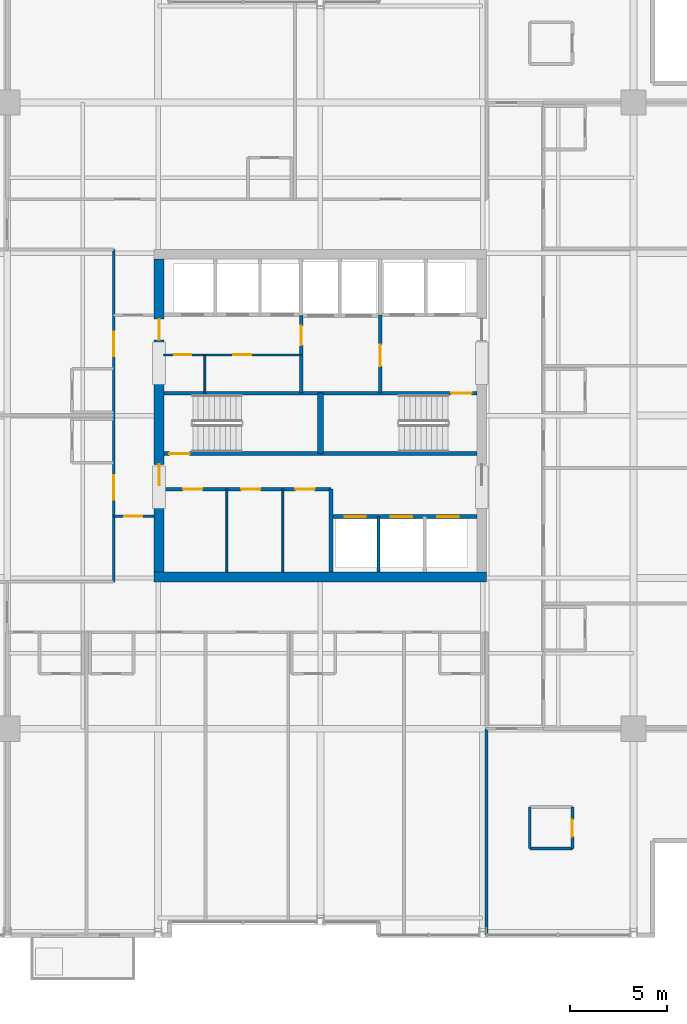
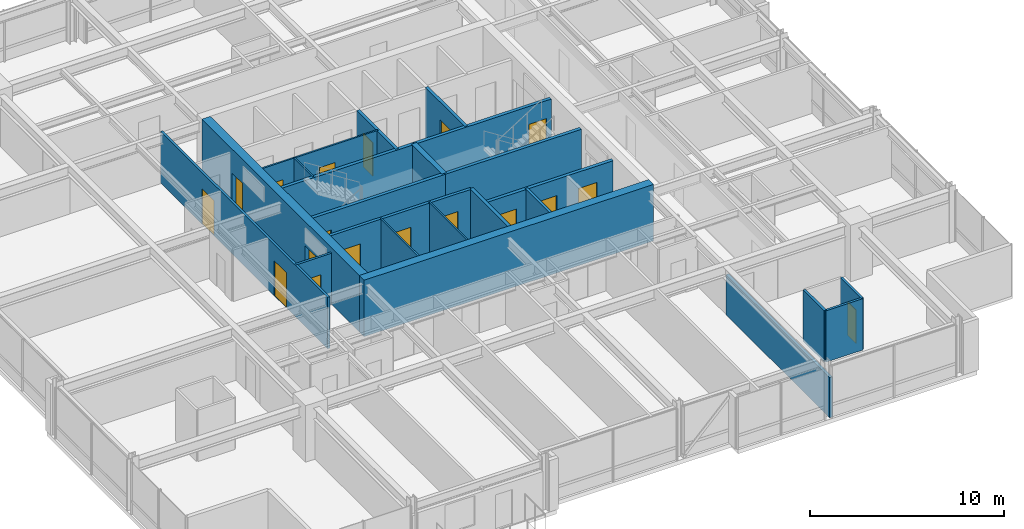
# One storey, part 27 of 33: 23 walls, 18 doors, 18 openings.
"""IFC4 building model written with IfcOpenShell, lengths in metres."""

from ifc_helpers import new_model, si_unit, direction, frame, frame_2d, origin, place, context, subcontext, project, spatial, rectangle, extrude, material, layer, layer_set, type_object, element, fill, save


model = new_model("IFC4")

# Units and contexts
model_context = context("Model", 3, precision=1e-05, world=origin(), true_north=direction((0.0, 1.0)))
body_context = subcontext(model_context, "Body", "Model", "MODEL_VIEW")
ifc_project = project(units=[si_unit("LENGTHUNIT", "METRE"), si_unit("AREAUNIT", "SQUARE_METRE"), si_unit("VOLUMEUNIT", "CUBIC_METRE"), si_unit("PLANEANGLEUNIT", "RADIAN"), si_unit("MASSUNIT", "GRAM", prefix="KILO")], contexts=[model_context])

# Site, building, storey
site_placement = place(None, origin())
site = spatial("IfcSite", under=ifc_project, at=site_placement, CompositionType="ELEMENT")
building_placement = place(site_placement, origin())
building = spatial("IfcBuilding", under=site, at=building_placement, Name="Drelvath Grand Hotel", CompositionType="ELEMENT")
storey_placement = place(building_placement, frame((0.0, 0.0, 196.550048828125)))
storey = spatial("IfcBuildingStorey", under=building, at=storey_placement, Name="L51", CompositionType="ELEMENT", Elevation=196.550048828125)

# Wall, openings, doors
ifc_material_1 = material(Name="Gypsum Partition Board")
ifc_layer_1 = layer(ifc_material_1, 0.10009765625)
ifc_layer_set_1 = layer_set([ifc_layer_1], Name="Gypsum Partition Board")
wall_type_1 = type_object("IfcWallType", Name="Core Closet Partition 100", PredefinedType="PARTITIONING", material=ifc_layer_set_1)
wall_1_placement = place(storey_placement, frame((-8.10009765625, 30.139892578125, 0.0), z_axis=(0.0, 0.0, 1.0), x_axis=(1.0, 0.0, 0.0)))
wall_1 = element("IfcWall", 1, at=wall_1_placement, inside=storey, type_object=wall_type_1, Name="L51 High-Rise Lobby Closet Wall", PredefinedType="PARTITIONING", context=body_context, shape_type="SweptSolid", body=[
    extrude(rectangle(XDim=7.10009765625, YDim=0.10009765625, at=frame_2d((3.550048828125, 0.0))), origin(), (0.0, 0.0, 1.0), 3.22998046875),
])
opening_1_placement = place(wall_1_placement, frame((0.550048828125, 0.0, 0.0)))
opening_1 = element("IfcOpeningElement", 2, at=opening_1_placement, cuts=wall_1, Name="Opening D-T3G5-014", PredefinedType="OPENING", context=body_context, shape_type="SweptSolid", body=[
    extrude(rectangle(XDim=0.8798828125, YDim=2.10009765625, at=frame_2d((0.43994140625, 1.050048828125))), frame((0.0, 0.06005859375, 0.0), z_axis=(0.0, -1.0, 0.0), x_axis=(1.0, 0.0, 0.0)), (0.0, 0.0, 1.0), 0.1201171875),
])
opening_2_placement = place(wall_1_placement, frame((3.60009765625, 0.0, 0.0)))
opening_2 = element("IfcOpeningElement", 3, at=opening_2_placement, cuts=wall_1, Name="Opening D-T3G5-015", PredefinedType="OPENING", context=body_context, shape_type="SweptSolid", body=[
    extrude(rectangle(XDim=0.919921875, YDim=2.10009765625, at=frame_2d((0.4599609375, 1.050048828125))), frame((0.0, 0.06005859375, 0.0), z_axis=(0.0, -1.0, 0.0), x_axis=(1.0, 0.0, 0.0)), (0.0, 0.0, 1.0), 0.1201171875),
])
ifc_material_2 = material(Name="Hardwood Walnut Timber", Category="wood")
door_type_1 = type_object("IfcDoorType", Name="En-Suite Bathroom Door 880x2100", OperationType="NOTDEFINED", PredefinedType="DOOR", material=ifc_material_2)
door_1_placement = place(opening_1_placement, origin())
door_1 = element("IfcDoor", 4, at=door_1_placement, inside=storey, type_object=door_type_1, Name="L51 Low-Voltage Closet Door", OperationType="SINGLE_SWING_LEFT", OverallHeight=2.10009765625, OverallWidth=0.8798828125, PredefinedType="DOOR", context=body_context, shape_type="SweptSolid", body=[
    extrude(rectangle(XDim=0.8798828125, YDim=2.10009765625, at=frame_2d((0.43994140625, 1.050048828125))), frame((0.0, 0.02490234375, 0.0), z_axis=(0.0, -1.0, 0.0), x_axis=(1.0, 0.0, 0.0)), (0.0, 0.0, 1.0), 0.050048828125),
])
fill(opening_1, door_1)
ifc_material_3 = material(Name="Painted Steel S275", Category="steel")
door_type_2 = type_object("IfcDoorType", Name="Staff Utility Door 920x2100", OperationType="NOTDEFINED", PredefinedType="DOOR", material=ifc_material_3)
door_2_placement = place(opening_2_placement, origin())
door_2 = element("IfcDoor", 5, at=door_2_placement, inside=storey, type_object=door_type_2, Name="L51 Telecom Distribution Door", OperationType="SINGLE_SWING_RIGHT", OverallHeight=2.10009765625, OverallWidth=0.919921875, PredefinedType="DOOR", context=body_context, shape_type="SweptSolid", body=[
    extrude(rectangle(XDim=0.919921875, YDim=2.10009765625, at=frame_2d((0.4599609375, 1.050048828125))), frame((0.0, 0.02490234375, 0.0), z_axis=(0.0, -1.0, 0.0), x_axis=(1.0, 0.0, 0.0)), (0.0, 0.0, 1.0), 0.050048828125),
])
fill(opening_2, door_2)

# Walls
wall_2_placement = place(storey_placement, frame((-5.97998046875, 28.159912109375, 0.0), z_axis=(0.0, 0.0, 1.0), x_axis=(0.0, 1.0, 0.0)))
element("IfcWall", 6, at=wall_2_placement, inside=storey, type_object=wall_type_1, Name="L51 Core Closet Split 2", PredefinedType="PARTITIONING", context=body_context, shape_type="SweptSolid", body=[
    extrude(rectangle(XDim=1.97998046875, YDim=0.10009765625, at=frame_2d((0.989990234375, 0.0))), origin(), (0.0, 0.0, 1.0), 3.22998046875),
])
for number, where, z_axis, x_axis, name in (
    (7, (-4.840087890625, 18.89990234375, 0.0), (0.0, 0.0, 1.0), (0.0, 1.0, 0.0), "L51 Reclaimed Split 1"),
    (8, (-1.93994140625, 18.89990234375, 0.0), (0.0, 0.0, 1.0), (0.0, 1.0, 0.0), "L51 Reclaimed Split 2"),
):
    element("IfcWall", number, at=place(storey_placement, frame(where, z_axis=z_axis, x_axis=x_axis)), inside=storey, type_object=wall_type_1, Name=name, PredefinedType="PARTITIONING", context=body_context, shape_type="SweptSolid", body=[
        extrude(rectangle(XDim=4.300048828125, YDim=0.10009765625, at=frame_2d((2.14990234375, 0.0))), origin(), (0.0, 0.0, 1.0), 3.22998046875),
    ])

# Wall, openings, doors
ifc_material_4 = material(Name="Concrete C40/50", Category="concrete")
ifc_layer_2 = layer(ifc_material_4, 0.199951171875)
ifc_layer_set_2 = layer_set([ifc_layer_2], Name="Concrete C40/50")
wall_type_2 = type_object("IfcWallType", Name="Core Hoistway Fire Wall 200", PredefinedType="SOLIDWALL", material=ifc_layer_set_2)
wall_3_placement = place(storey_placement, frame((8.10009765625, 21.780029296875, 0.0), z_axis=(0.0, 0.0, 1.0), x_axis=(-1.0, 0.0, 0.0)))
wall_3 = element("IfcWall", 9, at=wall_3_placement, inside=storey, type_object=wall_type_2, Name="L51 Bank 2 Hoistway Wall", PredefinedType="SOLIDWALL", context=body_context, shape_type="SweptSolid", body=[
    extrude(rectangle(XDim=7.550048828125, YDim=0.199951171875, at=frame_2d((3.77490234375, 0.0))), origin(), (0.0, 0.0, 1.0), 3.22998046875),
])
opening_3_placement = place(wall_3_placement, frame((5.75, 0.0, 0.0)))
opening_3 = element("IfcOpeningElement", 10, at=opening_3_placement, cuts=wall_3, Name="Opening LD-PE-4", PredefinedType="OPENING", context=body_context, shape_type="SweptSolid", body=[
    extrude(rectangle(XDim=1.10009765625, YDim=2.199951171875, at=frame_2d((0.550048828125, 1.10009765625))), frame((0.0, 0.10986328125, 0.0), z_axis=(0.0, -1.0, 0.0), x_axis=(1.0, 0.0, 0.0)), (0.0, 0.0, 1.0), 0.219970703125),
])
opening_4_placement = place(wall_3_placement, frame((3.35009765625, 0.0, 0.0)))
opening_4 = element("IfcOpeningElement", 11, at=opening_4_placement, cuts=wall_3, Name="Opening LD-PE-5", PredefinedType="OPENING", context=body_context, shape_type="SweptSolid", body=[
    extrude(rectangle(XDim=1.10009765625, YDim=2.199951171875, at=frame_2d((0.550048828125, 1.10009765625))), frame((0.0, 0.10986328125, 0.0), z_axis=(0.0, -1.0, 0.0), x_axis=(1.0, 0.0, 0.0)), (0.0, 0.0, 1.0), 0.219970703125),
])
opening_5_placement = place(wall_3_placement, frame((0.949951171875, 0.0, 0.0)))
opening_5 = element("IfcOpeningElement", 12, at=opening_5_placement, cuts=wall_3, Name="Opening LD-PE-6", PredefinedType="OPENING", context=body_context, shape_type="SweptSolid", body=[
    extrude(rectangle(XDim=1.10009765625, YDim=2.199951171875, at=frame_2d((0.550048828125, 1.10009765625))), frame((0.0, 0.10986328125, 0.0), z_axis=(0.0, -1.0, 0.0), x_axis=(1.0, 0.0, 0.0)), (0.0, 0.0, 1.0), 0.219970703125),
])
ifc_material_5 = material(Name="Stainless Steel S355", Category="steel")
door_type_3 = type_object("IfcDoorType", Name="Passenger Lift Sliding Landing Door 1100x2200", OperationType="NOTDEFINED", PredefinedType="DOOR", material=ifc_material_5)
door_3_placement = place(opening_3_placement, origin())
door_3 = element("IfcDoor", 13, at=door_3_placement, inside=storey, type_object=door_type_3, Name="L51 Lift PE-4 Landing Door", OperationType="SLIDING_TO_LEFT", OverallHeight=2.199951171875, OverallWidth=1.10009765625, PredefinedType="DOOR", context=body_context, shape_type="SweptSolid", body=[
    extrude(rectangle(XDim=1.10009765625, YDim=2.199951171875, at=frame_2d((0.550048828125, 1.10009765625))), frame((0.0, 0.02490234375, 0.0), z_axis=(0.0, -1.0, 0.0), x_axis=(1.0, 0.0, 0.0)), (0.0, 0.0, 1.0), 0.050048828125),
])
fill(opening_3, door_3)
door_4_placement = place(opening_4_placement, origin())
door_4 = element("IfcDoor", 14, at=door_4_placement, inside=storey, type_object=door_type_3, Name="L51 Lift PE-5 Landing Door", OperationType="SLIDING_TO_LEFT", OverallHeight=2.199951171875, OverallWidth=1.10009765625, PredefinedType="DOOR", context=body_context, shape_type="SweptSolid", body=[
    extrude(rectangle(XDim=1.10009765625, YDim=2.199951171875, at=frame_2d((0.550048828125, 1.10009765625))), frame((0.0, 0.02490234375, 0.0), z_axis=(0.0, -1.0, 0.0), x_axis=(1.0, 0.0, 0.0)), (0.0, 0.0, 1.0), 0.050048828125),
])
fill(opening_4, door_4)
door_5_placement = place(opening_5_placement, origin())
door_5 = element("IfcDoor", 15, at=door_5_placement, inside=storey, type_object=door_type_3, Name="L51 Lift PE-6 Landing Door", OperationType="SLIDING_TO_LEFT", OverallHeight=2.199951171875, OverallWidth=1.10009765625, PredefinedType="DOOR", context=body_context, shape_type="SweptSolid", body=[
    extrude(rectangle(XDim=1.10009765625, YDim=2.199951171875, at=frame_2d((0.550048828125, 1.10009765625))), frame((0.0, 0.02490234375, 0.0), z_axis=(0.0, -1.0, 0.0), x_axis=(1.0, 0.0, 0.0)), (0.0, 0.0, 1.0), 0.050048828125),
])
fill(opening_5, door_5)

# Wall
wall_4_placement = place(storey_placement, frame((0.550048828125, 18.89990234375, 0.0), z_axis=(0.0, 0.0, 1.0), x_axis=(0.0, 1.0, 0.0)))
element("IfcWall", 16, at=wall_4_placement, inside=storey, type_object=wall_type_2, Name="L51 Bank 2 West Wall", PredefinedType="SOLIDWALL", context=body_context, shape_type="SweptSolid", body=[
    extrude(rectangle(XDim=4.300048828125, YDim=0.199951171875, at=frame_2d((2.14990234375, 0.0))), origin(), (0.0, 0.0, 1.0), 3.22998046875),
])

# Wall, opening, door
ifc_layer_3 = layer(ifc_material_4, 0.199951171875)
ifc_layer_set_3 = layer_set([ifc_layer_3], Name="Concrete C40/50")
wall_type_3 = type_object("IfcWallType", Name="Core Shaft Fire Wall 200", PredefinedType="SOLIDWALL", material=ifc_layer_set_3)
wall_5_placement = place(storey_placement, frame((-8.10009765625, 25.0400390625, 0.0), z_axis=(0.0, 0.0, 1.0), x_axis=(1.0, 0.0, 0.0)))
wall_5 = element("IfcWall", 17, at=wall_5_placement, inside=storey, type_object=wall_type_3, Name="L51 Stair ST-1 South Wall", PredefinedType="SOLIDWALL", context=body_context, shape_type="SweptSolid", body=[
    extrude(rectangle(XDim=8.10009765625, YDim=0.199951171875, at=frame_2d((4.050048828125, 0.0))), origin(), (0.0, 0.0, 1.0), 3.22998046875),
])
opening_6_placement = place(wall_5_placement, frame((0.280029296875, 0.0, 0.0)))
opening_6 = element("IfcOpeningElement", 18, at=opening_6_placement, cuts=wall_5, Name="Opening D-T3G5-001", PredefinedType="OPENING", context=body_context, shape_type="SweptSolid", body=[
    extrude(rectangle(XDim=1.050048828125, YDim=2.10009765625, at=frame_2d((0.52490234375, 1.050048828125))), frame((0.0, 0.10986328125, 0.0), z_axis=(0.0, -1.0, 0.0), x_axis=(1.0, 0.0, 0.0)), (0.0, 0.0, 1.0), 0.219970703125),
])
door_type_4 = type_object("IfcDoorType", Name="Tower Stairwell Fire Door 1050x2100", OperationType="NOTDEFINED", PredefinedType="DOOR", material=ifc_material_3)
door_6_placement = place(opening_6_placement, origin())
door_6 = element("IfcDoor", 19, at=door_6_placement, inside=storey, type_object=door_type_4, Name="L51 Exit Stair ST-1 Door", OperationType="SINGLE_SWING_LEFT", OverallHeight=2.10009765625, OverallWidth=1.050048828125, PredefinedType="DOOR", context=body_context, shape_type="SweptSolid", body=[
    extrude(rectangle(XDim=1.050048828125, YDim=2.10009765625, at=frame_2d((0.52490234375, 1.050048828125))), frame((0.0, 0.02490234375, 0.0), z_axis=(0.0, -1.0, 0.0), x_axis=(1.0, 0.0, 0.0)), (0.0, 0.0, 1.0), 0.050048828125),
])
fill(opening_6, door_6)

# Walls
for number, where, z_axis, x_axis, name in (
    (20, (-8.10009765625, 28.159912109375, 0.0), (0.0, 0.0, 1.0), (1.0, 0.0, 0.0), "L51 Stair ST-1 North Wall"),
    (21, (0.0, 25.0400390625, 0.0), (0.0, 0.0, 1.0), (1.0, 0.0, 0.0), "L51 Stair ST-2 South Wall"),
):
    element("IfcWall", number, at=place(storey_placement, frame(where, z_axis=z_axis, x_axis=x_axis)), inside=storey, type_object=wall_type_3, Name=name, PredefinedType="SOLIDWALL", context=body_context, shape_type="SweptSolid", body=[
        extrude(rectangle(XDim=8.10009765625, YDim=0.199951171875, at=frame_2d((4.050048828125, 0.0))), origin(), (0.0, 0.0, 1.0), 3.22998046875),
    ])

# Wall, opening, door
wall_6_placement = place(storey_placement, frame((8.10009765625, 28.159912109375, 0.0), z_axis=(0.0, 0.0, 1.0), x_axis=(-1.0, 0.0, 0.0)))
wall_6 = element("IfcWall", 22, at=wall_6_placement, inside=storey, type_object=wall_type_3, Name="L51 Stair ST-2 North Wall", PredefinedType="SOLIDWALL", context=body_context, shape_type="SweptSolid", body=[
    extrude(rectangle(XDim=8.10009765625, YDim=0.199951171875, at=frame_2d((4.050048828125, 0.0))), origin(), (0.0, 0.0, 1.0), 3.22998046875),
])
opening_7_placement = place(wall_6_placement, frame((0.280029296875, 0.0, 0.0)))
opening_7 = element("IfcOpeningElement", 23, at=opening_7_placement, cuts=wall_6, Name="Opening D-T3G5-002", PredefinedType="OPENING", context=body_context, shape_type="SweptSolid", body=[
    extrude(rectangle(XDim=1.050048828125, YDim=2.10009765625, at=frame_2d((0.52490234375, 1.050048828125))), frame((0.0, 0.10986328125, 0.0), z_axis=(0.0, -1.0, 0.0), x_axis=(1.0, 0.0, 0.0)), (0.0, 0.0, 1.0), 0.219970703125),
])
door_7_placement = place(opening_7_placement, origin())
door_7 = element("IfcDoor", 24, at=door_7_placement, inside=storey, type_object=door_type_4, Name="L51 Exit Stair ST-2 Door", OperationType="SINGLE_SWING_LEFT", OverallHeight=2.10009765625, OverallWidth=1.050048828125, PredefinedType="DOOR", context=body_context, shape_type="SweptSolid", body=[
    extrude(rectangle(XDim=1.050048828125, YDim=2.10009765625, at=frame_2d((0.52490234375, 1.050048828125))), frame((0.0, 0.02490234375, 0.0), z_axis=(0.0, -1.0, 0.0), x_axis=(1.0, 0.0, 0.0)), (0.0, 0.0, 1.0), 0.050048828125),
])
fill(opening_7, door_7)

# Walls
ifc_layer_4 = layer(ifc_material_4, 0.300048828125)
ifc_layer_set_4 = layer_set([ifc_layer_4], Name="Concrete C40/50")
wall_type_4 = type_object("IfcWallType", Name="Core Shaft Fire Wall 300", PredefinedType="SOLIDWALL", material=ifc_layer_set_4)
wall_7_placement = place(storey_placement, frame((0.0, 25.0400390625, 0.0), z_axis=(0.0, 0.0, 1.0), x_axis=(0.0, 1.0, 0.0)))
element("IfcWall", 25, at=wall_7_placement, inside=storey, type_object=wall_type_4, Name="L51 Core Stair Divider Wall", PredefinedType="SOLIDWALL", context=body_context, shape_type="SweptSolid", body=[
    extrude(rectangle(XDim=3.119873046875, YDim=0.300048828125, at=frame_2d((1.56005859375, 0.0))), origin(), (0.0, 0.0, 1.0), 3.22998046875),
])
ifc_material_6 = material(Name="Gypsum Fireboard Partition")
ifc_layer_5 = layer(ifc_material_6, 0.1650390625)
ifc_layer_set_5 = layer_set([ifc_layer_5], Name="Gypsum Fireboard Partition")
wall_type_5 = type_object("IfcWallType", Name="Core Shaft Partition 165", PredefinedType="PARTITIONING", material=ifc_layer_set_5)
wall_8_placement = place(storey_placement, frame((3.0, 18.89990234375, 0.0), z_axis=(0.0, 0.0, 1.0), x_axis=(0.0, 1.0, 0.0)))
element("IfcWall", 26, at=wall_8_placement, inside=storey, type_object=wall_type_5, Name="L51 Lift PE-4/5 Divider", PredefinedType="PARTITIONING", context=body_context, shape_type="SweptSolid", body=[
    extrude(rectangle(XDim=2.880126953125, YDim=0.1650390625, at=frame_2d((1.43994140625, 0.0))), origin(), (0.0, 0.0, 1.0), 3.22998046875),
])

# Wall, opening, door
ifc_layer_6 = layer(ifc_material_6, 0.135009765625)
ifc_layer_set_6 = layer_set([ifc_layer_6], Name="Gypsum Fireboard Partition")
wall_type_6 = type_object("IfcWallType", Name="Corridor Fire Barrier Wall 135", PredefinedType="PARTITIONING", material=ifc_layer_set_6)
wall_9_placement = place(storey_placement, frame((-10.699951171875, 21.800048828125, 0.0), z_axis=(0.0, 0.0, 1.0), x_axis=(1.0, 0.0, 0.0)))
wall_9 = element("IfcWall", 27, at=wall_9_placement, inside=storey, type_object=wall_type_6, Name="L51 West Foyer South Wall", PredefinedType="PARTITIONING", context=body_context, shape_type="SweptSolid", body=[
    extrude(rectangle(XDim=2.099853515625, YDim=0.135009765625, at=frame_2d((1.0498046875, 0.0))), origin(), (0.0, 0.0, 1.0), 3.22998046875),
])
opening_8_placement = place(wall_9_placement, frame((0.550048828125, 0.0, 0.0)))
opening_8 = element("IfcOpeningElement", 28, at=opening_8_placement, cuts=wall_9, Name="Opening D-T3G5-024", PredefinedType="OPENING", context=body_context, shape_type="SweptSolid", body=[
    extrude(rectangle(XDim=0.919921875, YDim=2.10009765625, at=frame_2d((0.4599609375, 1.050048828125))), frame((0.0, 0.077392578125, 0.0), z_axis=(0.0, -1.0, 0.0), x_axis=(1.0, 0.0, 0.0)), (0.0, 0.0, 1.0), 0.155029296875),
])
door_8_placement = place(opening_8_placement, origin())
door_8 = element("IfcDoor", 29, at=door_8_placement, inside=storey, type_object=door_type_2, Name="L51 West Linen Closet Door", OperationType="SINGLE_SWING_RIGHT", OverallHeight=2.10009765625, OverallWidth=0.919921875, PredefinedType="DOOR", context=body_context, shape_type="SweptSolid", body=[
    extrude(rectangle(XDim=0.919921875, YDim=2.10009765625, at=frame_2d((0.4599609375, 1.050048828125))), frame((0.0, 0.02490234375, 0.0), z_axis=(0.0, -1.0, 0.0), x_axis=(1.0, 0.0, 0.0)), (0.0, 0.0, 1.0), 0.050048828125),
])
fill(opening_8, door_8)

# Wall, openings, doors
wall_10_placement = place(storey_placement, frame((-10.699951171875, 18.39990234375, 0.0), z_axis=(0.0, 0.0, 1.0), x_axis=(0.0, 1.0, 0.0)))
wall_10 = element("IfcWall", 30, at=wall_10_placement, inside=storey, type_object=wall_type_6, Name="L51 West Spine Wall", PredefinedType="PARTITIONING", context=body_context, shape_type="SweptSolid", body=[
    extrude(rectangle(XDim=17.2001953125, YDim=0.135009765625, at=frame_2d((8.60009765625, 0.0))), origin(), (0.0, 0.0, 1.0), 3.22998046875),
])
opening_9_placement = place(wall_10_placement, frame((4.2548828125, 0.0, 0.0)))
opening_9 = element("IfcOpeningElement", 31, at=opening_9_placement, cuts=wall_10, Name="Opening D-T3G5-055", PredefinedType="OPENING", context=body_context, shape_type="SweptSolid", body=[
    extrude(rectangle(XDim=1.260009765625, YDim=2.199951171875, at=frame_2d((0.6298828125, 1.10009765625))), frame((0.0, 0.077392578125, 0.0), z_axis=(0.0, -1.0, 0.0), x_axis=(1.0, 0.0, 0.0)), (0.0, 0.0, 1.0), 0.155029296875),
])
opening_10_placement = place(wall_10_placement, frame((11.68505859375, 0.0, 0.0)))
opening_10 = element("IfcOpeningElement", 32, at=opening_10_placement, cuts=wall_10, Name="Opening D-T3G5-057", PredefinedType="OPENING", context=body_context, shape_type="SweptSolid", body=[
    extrude(rectangle(XDim=1.260009765625, YDim=2.199951171875, at=frame_2d((0.6298828125, 1.10009765625))), frame((0.0, 0.077392578125, 0.0), z_axis=(0.0, -1.0, 0.0), x_axis=(1.0, 0.0, 0.0)), (0.0, 0.0, 1.0), 0.155029296875),
])
door_type_5 = type_object("IfcDoorType", Name="Suite Entrance Fire Door 1260x2200", OperationType="NOTDEFINED", PredefinedType="DOOR", material=ifc_material_2)
door_9_placement = place(opening_9_placement, origin())
door_9 = element("IfcDoor", 33, at=door_9_placement, inside=storey, type_object=door_type_5, Name="L51 Executive Suite Entry Door", OperationType="SINGLE_SWING_LEFT", OverallHeight=2.199951171875, OverallWidth=1.260009765625, PredefinedType="DOOR", context=body_context, shape_type="SweptSolid", body=[
    extrude(rectangle(XDim=1.260009765625, YDim=2.199951171875, at=frame_2d((0.6298828125, 1.10009765625))), frame((0.0, 0.02490234375, 0.0), z_axis=(0.0, -1.0, 0.0), x_axis=(1.0, 0.0, 0.0)), (0.0, 0.0, 1.0), 0.050048828125),
])
fill(opening_9, door_9)
door_10_placement = place(opening_10_placement, origin())
door_10 = element("IfcDoor", 34, at=door_10_placement, inside=storey, type_object=door_type_5, Name="L51 Executive Suite Entry Door", OperationType="SINGLE_SWING_LEFT", OverallHeight=2.199951171875, OverallWidth=1.260009765625, PredefinedType="DOOR", context=body_context, shape_type="SweptSolid", body=[
    extrude(rectangle(XDim=1.260009765625, YDim=2.199951171875, at=frame_2d((0.6298828125, 1.10009765625))), frame((0.0, 0.02490234375, 0.0), z_axis=(0.0, -1.0, 0.0), x_axis=(1.0, 0.0, 0.0)), (0.0, 0.0, 1.0), 0.050048828125),
])
fill(opening_10, door_10)

# Walls
ifc_material_7 = material(Name="Moisture-Resistant Gypsum Board")
ifc_layer_7 = layer(ifc_material_7, 0.139892578125)
ifc_layer_set_7 = layer_set([ifc_layer_7], Name="Moisture-Resistant Gypsum Board")
wall_type_7 = type_object("IfcWallType", Name="En-Suite Plumbing Wall 140", PredefinedType="PLUMBINGWALL", material=ifc_layer_set_7)
wall_11_placement = place(storey_placement, frame((10.840087890625, 4.60009765625, 0.0), z_axis=(0.0, 0.0, 1.0), x_axis=(1.0, 0.0, 0.0)))
element("IfcWall", 35, at=wall_11_placement, inside=storey, type_object=wall_type_7, Name="L51 Corner En-Suite South", PredefinedType="PLUMBINGWALL", context=body_context, shape_type="SweptSolid", body=[
    extrude(rectangle(XDim=2.199951171875, YDim=0.139892578125, at=frame_2d((1.10009765625, 0.0))), origin(), (0.0, 0.0, 1.0), 3.22998046875),
])
wall_12_placement = place(storey_placement, frame((10.840087890625, 4.60009765625, 0.0), z_axis=(0.0, 0.0, 1.0), x_axis=(0.0, 1.0, 0.0)))
element("IfcWall", 36, at=wall_12_placement, inside=storey, type_object=wall_type_7, Name="L51 Corner En-Suite West", PredefinedType="PLUMBINGWALL", context=body_context, shape_type="SweptSolid", body=[
    extrude(rectangle(XDim=2.14990234375, YDim=0.139892578125, at=frame_2d((1.074951171875, 0.0))), origin(), (0.0, 0.0, 1.0), 3.22998046875),
])

# Wall, opening, door
wall_13_placement = place(storey_placement, frame((13.0400390625, 4.60009765625, 0.0), z_axis=(0.0, 0.0, 1.0), x_axis=(0.0, 1.0, 0.0)))
wall_13 = element("IfcWall", 37, at=wall_13_placement, inside=storey, type_object=wall_type_7, Name="L51 Corner En-Suite East", PredefinedType="PLUMBINGWALL", context=body_context, shape_type="SweptSolid", body=[
    extrude(rectangle(XDim=2.14990234375, YDim=0.139892578125, at=frame_2d((1.074951171875, 0.0))), origin(), (0.0, 0.0, 1.0), 3.22998046875),
])
opening_11_placement = place(wall_13_placement, frame((0.6201171875, 0.0, 0.0)))
opening_11 = element("IfcOpeningElement", 38, at=opening_11_placement, cuts=wall_13, Name="Opening D-T3G5-030", PredefinedType="OPENING", context=body_context, shape_type="SweptSolid", body=[
    extrude(rectangle(XDim=0.8798828125, YDim=2.10009765625, at=frame_2d((0.43994140625, 1.050048828125))), frame((0.0, 0.079833984375, 0.0), z_axis=(0.0, -1.0, 0.0), x_axis=(1.0, 0.0, 0.0)), (0.0, 0.0, 1.0), 0.159912109375),
])
door_11_placement = place(opening_11_placement, origin())
door_11 = element("IfcDoor", 39, at=door_11_placement, inside=storey, type_object=door_type_1, Name="L51 Corner En-Suite Door", OperationType="SINGLE_SWING_RIGHT", OverallHeight=2.10009765625, OverallWidth=0.8798828125, PredefinedType="DOOR", context=body_context, shape_type="SweptSolid", body=[
    extrude(rectangle(XDim=0.8798828125, YDim=2.10009765625, at=frame_2d((0.43994140625, 1.050048828125))), frame((0.0, 0.02490234375, 0.0), z_axis=(0.0, -1.0, 0.0), x_axis=(1.0, 0.0, 0.0)), (0.0, 0.0, 1.0), 0.050048828125),
])
fill(opening_11, door_11)

ifc_layer_8 = layer(ifc_material_6, 0.179931640625)
ifc_layer_set_8 = layer_set([ifc_layer_8], Name="Gypsum Fireboard Partition")
wall_type_8 = type_object("IfcWallType", Name="FSAE Smoke Lobby Fire Wall 180", PredefinedType="SOLIDWALL", material=ifc_layer_set_8)
wall_14_placement = place(storey_placement, frame((3.10009765625, 28.159912109375, 0.0), z_axis=(0.0, 0.0, 1.0), x_axis=(0.0, 1.0, 0.0)))
wall_14 = element("IfcWall", 40, at=wall_14_placement, inside=storey, type_object=wall_type_8, Name="L51 FSAE Smoke Lobby West Wall", PredefinedType="SOLIDWALL", context=body_context, shape_type="SweptSolid", body=[
    extrude(rectangle(XDim=4.06005859375, YDim=0.179931640625, at=frame_2d((2.030029296875, 0.0))), origin(), (0.0, 0.0, 1.0), 3.22998046875),
])
opening_12_placement = place(wall_14_placement, frame((1.39990234375, 0.0, 0.0)))
opening_12 = element("IfcOpeningElement", 41, at=opening_12_placement, cuts=wall_14, Name="Opening D-T3G5-005", PredefinedType="OPENING", context=body_context, shape_type="SweptSolid", body=[
    extrude(rectangle(XDim=1.1201171875, YDim=2.10009765625, at=frame_2d((0.56005859375, 1.050048828125))), frame((0.0, 0.099853515625, 0.0), z_axis=(0.0, -1.0, 0.0), x_axis=(1.0, 0.0, 0.0)), (0.0, 0.0, 1.0), 0.199951171875),
])
door_type_6 = type_object("IfcDoorType", Name="FSAE Smoke Lobby Fire Door 1120x2100", OperationType="NOTDEFINED", PredefinedType="DOOR", material=ifc_material_3)
door_12_placement = place(opening_12_placement, origin())
door_12 = element("IfcDoor", 42, at=door_12_placement, inside=storey, type_object=door_type_6, Name="L51 FSAE Lobby Service Vestibule Door", OperationType="SINGLE_SWING_RIGHT", OverallHeight=2.10009765625, OverallWidth=1.1201171875, PredefinedType="DOOR", context=body_context, shape_type="SweptSolid", body=[
    extrude(rectangle(XDim=1.1201171875, YDim=2.10009765625, at=frame_2d((0.56005859375, 1.050048828125))), frame((0.0, 0.02490234375, 0.0), z_axis=(0.0, -1.0, 0.0), x_axis=(1.0, 0.0, 0.0)), (0.0, 0.0, 1.0), 0.050048828125),
])
fill(opening_12, door_12)

wall_15_placement = place(storey_placement, frame((-1.0, 28.159912109375, 0.0), z_axis=(0.0, 0.0, 1.0), x_axis=(0.0, 1.0, 0.0)))
wall_15 = element("IfcWall", 43, at=wall_15_placement, inside=storey, type_object=wall_type_8, Name="L51 Service Vestibule West Wall", PredefinedType="SOLIDWALL", context=body_context, shape_type="SweptSolid", body=[
    extrude(rectangle(XDim=4.02001953125, YDim=0.179931640625, at=frame_2d((2.010009765625, 0.0))), origin(), (0.0, 0.0, 1.0), 3.22998046875),
])
opening_13_placement = place(wall_15_placement, frame((2.489990234375, 0.0, 0.0)))
opening_13 = element("IfcOpeningElement", 44, at=opening_13_placement, cuts=wall_15, Name="Opening D-T3G5-009", PredefinedType="OPENING", context=body_context, shape_type="SweptSolid", body=[
    extrude(rectangle(XDim=1.0, YDim=2.10009765625, at=frame_2d((0.5, 1.050048828125))), frame((0.0, 0.099853515625, 0.0), z_axis=(0.0, -1.0, 0.0), x_axis=(1.0, 0.0, 0.0)), (0.0, 0.0, 1.0), 0.199951171875),
])
door_type_7 = type_object("IfcDoorType", Name="Core Service Fire Door 1000x2100", OperationType="NOTDEFINED", PredefinedType="DOOR", material=ifc_material_3)
door_13_placement = place(opening_13_placement, origin())
door_13 = element("IfcDoor", 45, at=door_13_placement, inside=storey, type_object=door_type_7, Name="L51 Service Vestibule West Door", OperationType="SINGLE_SWING_LEFT", OverallHeight=2.10009765625, OverallWidth=1.0, PredefinedType="DOOR", context=body_context, shape_type="SweptSolid", body=[
    extrude(rectangle(XDim=1.0, YDim=2.10009765625, at=frame_2d((0.5, 1.050048828125))), frame((0.0, 0.02490234375, 0.0), z_axis=(0.0, -1.0, 0.0), x_axis=(1.0, 0.0, 0.0)), (0.0, 0.0, 1.0), 0.050048828125),
])
fill(opening_13, door_13)

# Wall, openings, doors
wall_16_placement = place(storey_placement, frame((-8.10009765625, 23.199951171875, 0.0), z_axis=(0.0, 0.0, 1.0), x_axis=(1.0, 0.0, 0.0)))
wall_16 = element("IfcWall", 46, at=wall_16_placement, inside=storey, type_object=wall_type_8, Name="L51 Reclaimed Core Room Wall", PredefinedType="SOLIDWALL", context=body_context, shape_type="SweptSolid", body=[
    extrude(rectangle(XDim=8.650146484375, YDim=0.179931640625, at=frame_2d((4.3251953125, 0.0))), origin(), (0.0, 0.0, 1.0), 3.22998046875),
])
opening_14_placement = place(wall_16_placement, frame((1.0, 0.0, 0.0)))
opening_14 = element("IfcOpeningElement", 47, at=opening_14_placement, cuts=wall_16, Name="Opening D-T3G5-021", PredefinedType="OPENING", context=body_context, shape_type="SweptSolid", body=[
    extrude(rectangle(XDim=1.0, YDim=2.10009765625, at=frame_2d((0.5, 1.050048828125))), frame((0.0, 0.099853515625, 0.0), z_axis=(0.0, -1.0, 0.0), x_axis=(1.0, 0.0, 0.0)), (0.0, 0.0, 1.0), 0.199951171875),
])
opening_15_placement = place(wall_16_placement, frame((4.0, 0.0, 0.0)))
opening_15 = element("IfcOpeningElement", 48, at=opening_15_placement, cuts=wall_16, Name="Opening D-T3G5-022", PredefinedType="OPENING", context=body_context, shape_type="SweptSolid", body=[
    extrude(rectangle(XDim=1.0, YDim=2.10009765625, at=frame_2d((0.5, 1.050048828125))), frame((0.0, 0.099853515625, 0.0), z_axis=(0.0, -1.0, 0.0), x_axis=(1.0, 0.0, 0.0)), (0.0, 0.0, 1.0), 0.199951171875),
])
opening_16_placement = place(wall_16_placement, frame((6.800048828125, 0.0, 0.0)))
opening_16 = element("IfcOpeningElement", 49, at=opening_16_placement, cuts=wall_16, Name="Opening D-T3G5-023", PredefinedType="OPENING", context=body_context, shape_type="SweptSolid", body=[
    extrude(rectangle(XDim=1.0, YDim=2.10009765625, at=frame_2d((0.5, 1.050048828125))), frame((0.0, 0.099853515625, 0.0), z_axis=(0.0, -1.0, 0.0), x_axis=(1.0, 0.0, 0.0)), (0.0, 0.0, 1.0), 0.199951171875),
])
door_14_placement = place(opening_14_placement, origin())
door_14 = element("IfcDoor", 50, at=door_14_placement, inside=storey, type_object=door_type_7, Name="L51 Housekeeping Door", OperationType="SINGLE_SWING_LEFT", OverallHeight=2.10009765625, OverallWidth=1.0, PredefinedType="DOOR", context=body_context, shape_type="SweptSolid", body=[
    extrude(rectangle(XDim=1.0, YDim=2.10009765625, at=frame_2d((0.5, 1.050048828125))), frame((0.0, 0.02490234375, 0.0), z_axis=(0.0, -1.0, 0.0), x_axis=(1.0, 0.0, 0.0)), (0.0, 0.0, 1.0), 0.050048828125),
])
fill(opening_14, door_14)
door_15_placement = place(opening_15_placement, origin())
door_15 = element("IfcDoor", 51, at=door_15_placement, inside=storey, type_object=door_type_7, Name="L51 Pantry Door", OperationType="SINGLE_SWING_RIGHT", OverallHeight=2.10009765625, OverallWidth=1.0, PredefinedType="DOOR", context=body_context, shape_type="SweptSolid", body=[
    extrude(rectangle(XDim=1.0, YDim=2.10009765625, at=frame_2d((0.5, 1.050048828125))), frame((0.0, 0.02490234375, 0.0), z_axis=(0.0, -1.0, 0.0), x_axis=(1.0, 0.0, 0.0)), (0.0, 0.0, 1.0), 0.050048828125),
])
fill(opening_15, door_15)
door_16_placement = place(opening_16_placement, origin())
door_16 = element("IfcDoor", 52, at=door_16_placement, inside=storey, type_object=door_type_7, Name="L51 Luggage Store Door", OperationType="SINGLE_SWING_LEFT", OverallHeight=2.10009765625, OverallWidth=1.0, PredefinedType="DOOR", context=body_context, shape_type="SweptSolid", body=[
    extrude(rectangle(XDim=1.0, YDim=2.10009765625, at=frame_2d((0.5, 1.050048828125))), frame((0.0, 0.02490234375, 0.0), z_axis=(0.0, -1.0, 0.0), x_axis=(1.0, 0.0, 0.0)), (0.0, 0.0, 1.0), 0.050048828125),
])
fill(opening_16, door_16)

# Walls
ifc_material_8 = material(Name="Gypsum Acoustic Partition")
ifc_layer_9 = layer(ifc_material_8, 0.1650390625)
ifc_layer_set_9 = layer_set([ifc_layer_9], Name="Gypsum Acoustic Partition")
wall_type_9 = type_object("IfcWallType", Name="Suite Demising Wall 165", PredefinedType="PARTITIONING", material=ifc_layer_set_9)
wall_17_placement = place(storey_placement, frame((8.60009765625, 0.1201171875, 0.0), z_axis=(0.0, 0.0, 1.0), x_axis=(0.0, 1.0, 0.0)))
element("IfcWall", 53, at=wall_17_placement, inside=storey, type_object=wall_type_9, Name="L51 SE Suite West Wall", PredefinedType="PARTITIONING", context=body_context, shape_type="SweptSolid", body=[
    extrude(rectangle(XDim=10.679931640625, YDim=0.1650390625, at=frame_2d((5.33984375, 0.0))), origin(), (0.0, 0.0, 1.0), 2.51953125),
])
ifc_material_9 = material(Name="Concrete f'c 55 MPa", Category="concrete")
ifc_layer_10 = layer(ifc_material_9, 0.5)
ifc_layer_set_10 = layer_set([ifc_layer_10], Name="Concrete f'c 55 MPa")
wall_type_10 = type_object("IfcWallType", Name="Upper Core RC Shear Wall 500", PredefinedType="SHEAR", material=ifc_layer_set_10)
wall_18_placement = place(storey_placement, frame((8.60009765625, 18.64990234375, 0.0), z_axis=(0.0, 0.0, 1.0), x_axis=(-1.0, 0.0, 0.0)))
element("IfcWall", 54, at=wall_18_placement, inside=storey, type_object=wall_type_10, Name="L51 Central Core Shear Wall S", PredefinedType="SHEAR", context=body_context, shape_type="SweptSolid", body=[
    extrude(rectangle(XDim=17.2001953125, YDim=0.5, at=frame_2d((8.60009765625, 0.0))), origin(), (0.0, 0.0, 1.0), 3.550048828125),
])

# Wall, openings, doors
wall_19_placement = place(storey_placement, frame((-8.35009765625, 18.89990234375, 0.0), z_axis=(0.0, 0.0, 1.0), x_axis=(0.0, 1.0, 0.0)))
wall_19 = element("IfcWall", 55, at=wall_19_placement, inside=storey, type_object=wall_type_10, Name="L51 Central Core Shear Wall W", PredefinedType="SHEAR", context=body_context, shape_type="SweptSolid", body=[
    extrude(rectangle(XDim=16.2001953125, YDim=0.5, at=frame_2d((8.10009765625, 0.0))), origin(), (0.0, 0.0, 1.0), 3.550048828125),
])
opening_17_placement = place(wall_19_placement, frame((12.02001953125, 0.0, 0.0)))
opening_17 = element("IfcOpeningElement", 56, at=opening_17_placement, cuts=wall_19, Name="Opening D-T3G5-013", PredefinedType="OPENING", context=body_context, shape_type="SweptSolid", body=[
    extrude(rectangle(XDim=1.080078125, YDim=2.0400390625, at=frame_2d((0.5400390625, 1.02001953125))), frame((0.0, 0.260009765625, 0.0), z_axis=(0.0, -1.0, 0.0), x_axis=(1.0, 0.0, 0.0)), (0.0, 0.0, 1.0), 0.52001953125),
])
opening_18_placement = place(wall_19_placement, frame((4.5, 0.0, 0.0)))
opening_18 = element("IfcOpeningElement", 57, at=opening_18_placement, cuts=wall_19, Name="Opening D-T3G5-019", PredefinedType="OPENING", context=body_context, shape_type="SweptSolid", body=[
    extrude(rectangle(XDim=1.080078125, YDim=2.0400390625, at=frame_2d((0.5400390625, 1.02001953125))), frame((0.0, 0.260009765625, 0.0), z_axis=(0.0, -1.0, 0.0), x_axis=(1.0, 0.0, 0.0)), (0.0, 0.0, 1.0), 0.52001953125),
])
door_type_8 = type_object("IfcDoorType", Name="Core Corridor Fire Door 1080x2100", OperationType="NOTDEFINED", PredefinedType="DOOR", material=ifc_material_3)
door_17_placement = place(opening_17_placement, origin())
door_17 = element("IfcDoor", 58, at=door_17_placement, inside=storey, type_object=door_type_8, Name="L51 High-Rise Lift Lobby West Door", OperationType="SINGLE_SWING_RIGHT", OverallHeight=2.0400390625, OverallWidth=1.080078125, PredefinedType="DOOR", context=body_context, shape_type="SweptSolid", body=[
    extrude(rectangle(XDim=1.080078125, YDim=2.0400390625, at=frame_2d((0.5400390625, 1.02001953125))), frame((0.0, 0.02490234375, 0.0), z_axis=(0.0, -1.0, 0.0), x_axis=(1.0, 0.0, 0.0)), (0.0, 0.0, 1.0), 0.050048828125),
])
fill(opening_17, door_17)
door_18_placement = place(opening_18_placement, origin())
door_18 = element("IfcDoor", 59, at=door_18_placement, inside=storey, type_object=door_type_8, Name="L51 Mid-Rise Lobby West Door", OperationType="SINGLE_SWING_LEFT", OverallHeight=2.0400390625, OverallWidth=1.080078125, PredefinedType="DOOR", context=body_context, shape_type="SweptSolid", body=[
    extrude(rectangle(XDim=1.080078125, YDim=2.0400390625, at=frame_2d((0.5400390625, 1.02001953125))), frame((0.0, 0.02490234375, 0.0), z_axis=(0.0, -1.0, 0.0), x_axis=(1.0, 0.0, 0.0)), (0.0, 0.0, 1.0), 0.050048828125),
])
fill(opening_18, door_18)

save(model, "model.ifc")
